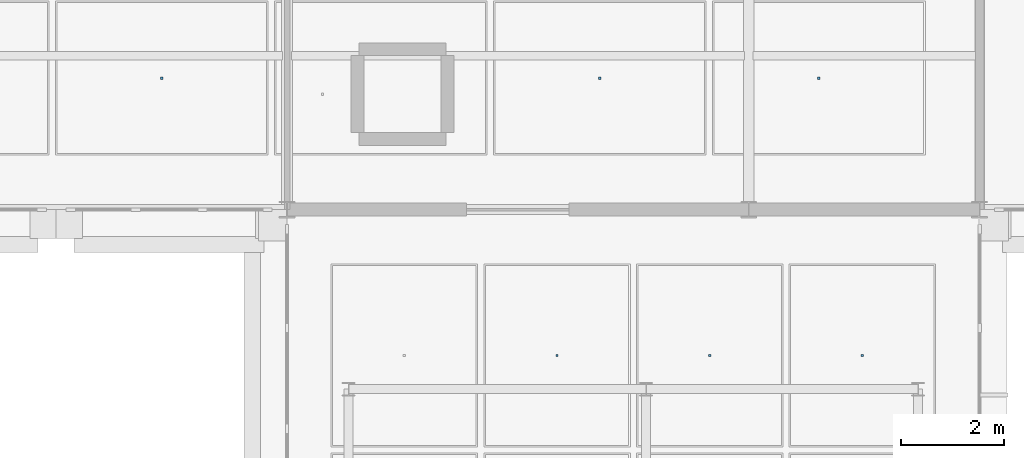
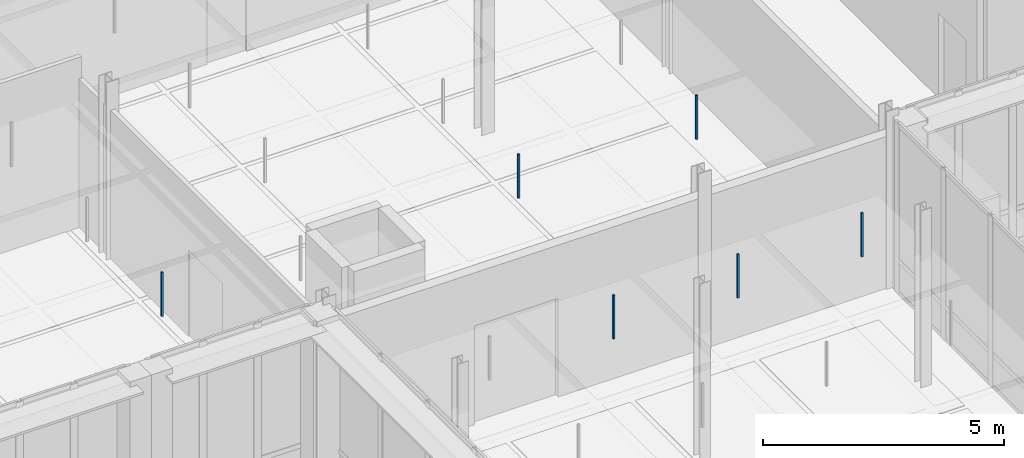
# One storey, part 98 of 130: 6 discrete accessories.
"""IFC4 building model written with IfcOpenShell, lengths in metres."""

import ifcopenshell
import ifcopenshell.guid

model = None  # the IFC model being written
_history = None  # IfcOwnerHistory: only IFC2X3 demands one
_inside = {}  # id of a spatial element -> (the spatial element, [elements in it])
_under = {}  # id of a project, library or spatial element -> (it, [spatial elements below it])
_declared = {}  # id of a project -> (the project, [libraries it declares])
_typed = {}  # id of a type object -> (the type object, [elements of that type])
_made_of = {}  # id of a material, layer set ... -> (it, [elements and type objects made of it])


def new_model(schema):
    """Start an empty IFC model of exactly this schema.

    Asked for "IFC4X3", IfcOpenShell would pick the latest addendum, in which some entities
    have other attributes; the version numbers below select the first issue.
    IFC2X3 requires an IfcOwnerHistory on every rooted entity: one is made here for all.
    """
    global model, _history
    if schema == "IFC4X3":
        model = ifcopenshell.file(schema_version=(4, 3, 0, 0))
    else:
        model = ifcopenshell.file(schema=schema)
    _inside.clear()
    _under.clear()
    _declared.clear()
    _typed.clear()
    _made_of.clear()
    _history = None
    if model.schema == "IFC2X3":
        org = make("IfcOrganization", Name="unknown")
        user = make(
            "IfcPersonAndOrganization",
            ThePerson=make("IfcPerson", FamilyName="unknown"),
            TheOrganization=org,
        )
        app = make(
            "IfcApplication",
            ApplicationDeveloper=org,
            Version="unknown",
            ApplicationFullName="unknown",
            ApplicationIdentifier="unknown",
        )
        _history = make(
            "IfcOwnerHistory",
            OwningUser=user,
            OwningApplication=app,
            ChangeAction="ADDED",
            CreationDate=0,
        )
    return model


def make(cls, **values):
    """One entity of the class cls with the attributes given. An attribute that is None is left unset."""
    return model.create_entity(
        cls, **{name: value for name, value in values.items() if value is not None}
    )


def rooted(cls, **values):
    """An entity with a GlobalId (a new one), such as an element, a storey or a relation."""
    return make(cls, GlobalId=ifcopenshell.guid.new(), OwnerHistory=_history, **values)


def si_unit(unit_type, name, prefix=None):
    """IfcSIUnit, for example si_unit("LENGTHUNIT", "METRE", prefix="MILLI")."""
    return make("IfcSIUnit", UnitType=unit_type, Prefix=prefix, Name=name)


def assignment(units):
    """IfcUnitAssignment: the units of a project."""
    return None if units is None else make("IfcUnitAssignment", Units=units)


def point(xyz):
    """IfcCartesianPoint."""
    return None if xyz is None else make("IfcCartesianPoint", Coordinates=xyz)


def direction(xyz):
    """IfcDirection."""
    return None if xyz is None else make("IfcDirection", DirectionRatios=xyz)


def frame(location, z_axis=None, x_axis=None):
    """IfcAxis2Placement3D, a coordinate frame: its origin and axes. An axis left out is left unset."""
    return make(
        "IfcAxis2Placement3D",
        Location=point(location),
        Axis=direction(z_axis),
        RefDirection=direction(x_axis),
    )


def frame_2d(location, x_axis=None):
    """IfcAxis2Placement2D, a coordinate frame in the plane: its origin and x axis."""
    return make(
        "IfcAxis2Placement2D", Location=point(location), RefDirection=direction(x_axis)
    )


def origin():
    """The frame at (0, 0, 0) with its axes left unset."""
    return frame((0.0, 0.0, 0.0))


def origin_2d():
    """The frame at (0, 0) in the plane with its x axis left unset."""
    return frame_2d((0.0, 0.0))


def place(relative_to, where):
    """IfcLocalPlacement: puts the frame where relative to a parent placement (None: the world)."""
    return make(
        "IfcLocalPlacement", PlacementRelTo=relative_to, RelativePlacement=where
    )


def context(
    kind, dimensions, precision=None, world=None, true_north=None, identifier=None
):
    """IfcGeometricRepresentationContext, for example the 3D "Model" context."""
    return make(
        "IfcGeometricRepresentationContext",
        ContextIdentifier=identifier,
        ContextType=kind,
        CoordinateSpaceDimension=dimensions,
        Precision=precision,
        WorldCoordinateSystem=world,
        TrueNorth=true_north,
    )


def subcontext(parent, identifier, kind, view, scale=None):
    """IfcGeometricRepresentationSubContext, for example "Body" below "Model"."""
    return make(
        "IfcGeometricRepresentationSubContext",
        ContextIdentifier=identifier,
        ContextType=kind,
        ParentContext=parent,
        TargetScale=scale,
        TargetView=view,
    )


def project(units=None, contexts=None):
    """IfcProject with its units and contexts."""
    return rooted(
        "IfcProject",
        Name="project",
        RepresentationContexts=contexts,
        UnitsInContext=assignment(units),
    )


def spatial(cls, under=None, at=None, **own):
    """A site, building, storey or space (cls), placed at a placement, below another one or the project."""
    s = rooted(cls, ObjectPlacement=at, **own)
    if under is not None:
        _under.setdefault(under.id(), (under, []))[1].append(s)
    return s


def profile(cls, at=None, kind="AREA", **sizes):
    """A parametric profile (cls). Its sizes go by their IFC names, for example OverallWidth=200.0."""
    return make(cls, ProfileType=kind, Position=at, **sizes)


def rectangle(**sizes):
    """IfcRectangleProfileDef."""
    return profile("IfcRectangleProfileDef", **sizes)


def extrude(swept, where, along, depth):
    """IfcExtrudedAreaSolid: the profile swept, set in the frame where, extruded along a direction by depth."""
    return make(
        "IfcExtrudedAreaSolid",
        SweptArea=swept,
        Position=where,
        ExtrudedDirection=direction(along),
        Depth=depth,
    )


def shape(context_of_items, identifier, shape_type, items):
    """IfcShapeRepresentation: the items that make up one representation, for example the "Body"."""
    return make(
        "IfcShapeRepresentation",
        ContextOfItems=context_of_items,
        RepresentationIdentifier=identifier,
        RepresentationType=shape_type,
        Items=items,
    )


def material(Name=None, Category=None):
    """IfcMaterial."""
    return make("IfcMaterial", Name=Name, Category=Category)


def made_of(thing, what):
    """Note that an element or type object is made of a material, layer set ...; save() writes the relation."""
    if what is not None:
        _made_of.setdefault(what.id(), (what, []))[1].append(thing)
    return thing


def type_object(cls, material=None, **own):
    """A type object (cls), such as IfcWallType, which elements share."""
    return made_of(rooted(cls, **own), material)


def element(
    cls,
    number,
    at=None,
    inside=None,
    cuts=None,
    type_object=None,
    material=None,
    context=None,
    identifier="Body",
    shape_type=None,
    held_by="IfcProductDefinitionShape",
    body=None,
    shapes=None,
    **own,
):
    """One element of the class cls, such as IfcWall. Its Tag is "e" and its number.

    at: its placement. inside: the storey or other place that contains it. cuts: it is an
    opening in that element (IfcRelVoidsElement). A single representation is given by context,
    identifier, shape_type and body (its items); several are given by shapes. held_by: the class
    of the entity that holds the representations. save() writes the other relations.
    """
    e = rooted(cls, Tag="e%d" % number, ObjectPlacement=at, **own)
    if body is not None:
        shapes = [shape(context, identifier, shape_type, body)]
    if shapes is not None:
        e.Representation = make(held_by, Representations=shapes)
    if inside is not None:
        _inside.setdefault(inside.id(), (inside, []))[1].append(e)
    if cuts is not None:
        rooted(
            "IfcRelVoidsElement", RelatingBuildingElement=cuts, RelatedOpeningElement=e
        )
    if type_object is not None:
        _typed.setdefault(type_object.id(), (type_object, []))[1].append(e)
    return made_of(e, material)


def aggregate(whole, parts):
    """IfcRelAggregates: a whole, such as a stair, and the parts it consists of."""
    return rooted("IfcRelAggregates", RelatingObject=whole, RelatedObjects=parts)


def save(model, path):
    """Write the relations noted so far, then the file.

    IfcRelAggregates (storeys below a building ...), IfcRelContainedInSpatialStructure (elements
    in a storey), IfcRelDefinesByType, IfcRelAssociatesMaterial and IfcRelDeclares: one each for
    every whole, place, type object, material and project.
    """
    for whole, parts in _under.values():
        aggregate(whole, parts)
    for where, things in _inside.values():
        rooted(
            "IfcRelContainedInSpatialStructure",
            RelatedElements=things,
            RelatingStructure=where,
        )
    for kind, things in _typed.values():
        rooted("IfcRelDefinesByType", RelatedObjects=things, RelatingType=kind)
    for what, things in _made_of.values():
        rooted("IfcRelAssociatesMaterial", RelatedObjects=things, RelatingMaterial=what)
    for by, libraries in _declared.values():
        rooted("IfcRelDeclares", RelatingContext=by, RelatedDefinitions=libraries)
    model.write(path)


model = new_model("IFC4")

# Units and contexts
model_context = context("Model", 3, precision=1e-05, world=origin(), true_north=direction((0.0, 1.0)))
body_context = subcontext(model_context, "Body", "Model", "MODEL_VIEW")
ifc_project = project(units=[si_unit("LENGTHUNIT", "METRE"), si_unit("AREAUNIT", "SQUARE_METRE"), si_unit("VOLUMEUNIT", "CUBIC_METRE"), si_unit("PLANEANGLEUNIT", "RADIAN"), si_unit("MASSUNIT", "GRAM", prefix="KILO"), si_unit("THERMODYNAMICTEMPERATUREUNIT", "KELVIN"), si_unit("POWERUNIT", "WATT")], contexts=[model_context])

# Site, building, storey
site_placement = place(None, origin())
site = spatial("IfcSite", under=ifc_project, at=site_placement, CompositionType="ELEMENT")
building_placement = place(site_placement, origin())
building = spatial("IfcBuilding", under=site, at=building_placement, Name="Tallowbark Science Centre", CompositionType="ELEMENT")
storey_placement = place(building_placement, frame((0.0, 0.0, 5.39990234375)))
storey = spatial("IfcBuildingStorey", under=building, at=storey_placement, Name="L01", CompositionType="ELEMENT", Elevation=5.39990234375)

# Discrete accessories
ifc_material = material(Name="Galvanised Steel Grade C350L0 (350 MPa)", Category="steel")
discrete_accessory_type = type_object("IfcDiscreteAccessoryType", Name="ACC-CLG-HNG", PredefinedType="BRACKET", material=ifc_material)
for number, where, z_axis, x_axis, name in (
    (1, (104.262451171875, 69.15625, 3.20947265625), (0.0, 0.0, 1.0), (1.0, 0.0, 0.0), "Ceiling Hanger Bracket L01-578"),
    (2, (107.237548828125, 69.15625, 3.20947265625), (0.0, 0.0, 1.0), (1.0, 0.0, 0.0), "Ceiling Hanger Bracket L01-586"),
    (3, (110.21240234375, 69.15625, 3.20947265625), (0.0, 0.0, 1.0), (1.0, 0.0, 0.0), "Ceiling Hanger Bracket L01-594"),
):
    element("IfcDiscreteAccessory", number, at=place(storey_placement, frame(where, z_axis=z_axis, x_axis=x_axis)), inside=storey, type_object=discrete_accessory_type, Name=name, PredefinedType="BRACKET", context=body_context, shape_type="SweptSolid", body=[
        extrude(rectangle(XDim=0.044921875, YDim=0.044921875, at=origin_2d()), origin(), (0.0, 0.0, 1.0), 1.113525390625),
    ])
for number, where, z_axis, x_axis, name in (
    (4, (96.5576171875, 74.5625, 3.205078125), (0.0, 0.0, 1.0), (1.0, 0.0, 0.0), "Ceiling Hanger Bracket L01-655"),
    (5, (105.09619140625, 74.5625, 3.205078125), (0.0, 0.0, 1.0), (1.0, 0.0, 0.0), "Ceiling Hanger Bracket L01-671"),
    (6, (109.365478515625, 74.5625, 3.205078125), (0.0, 0.0, 1.0), (1.0, 0.0, 0.0), "Ceiling Hanger Bracket L01-679"),
):
    element("IfcDiscreteAccessory", number, at=place(storey_placement, frame(where, z_axis=z_axis, x_axis=x_axis)), inside=storey, type_object=discrete_accessory_type, Name=name, PredefinedType="BRACKET", context=body_context, shape_type="SweptSolid", body=[
        extrude(rectangle(XDim=0.044921875, YDim=0.044921875, at=origin_2d()), origin(), (0.0, 0.0, 1.0), 1.117919921875),
    ])

save(model, "model.ifc")
